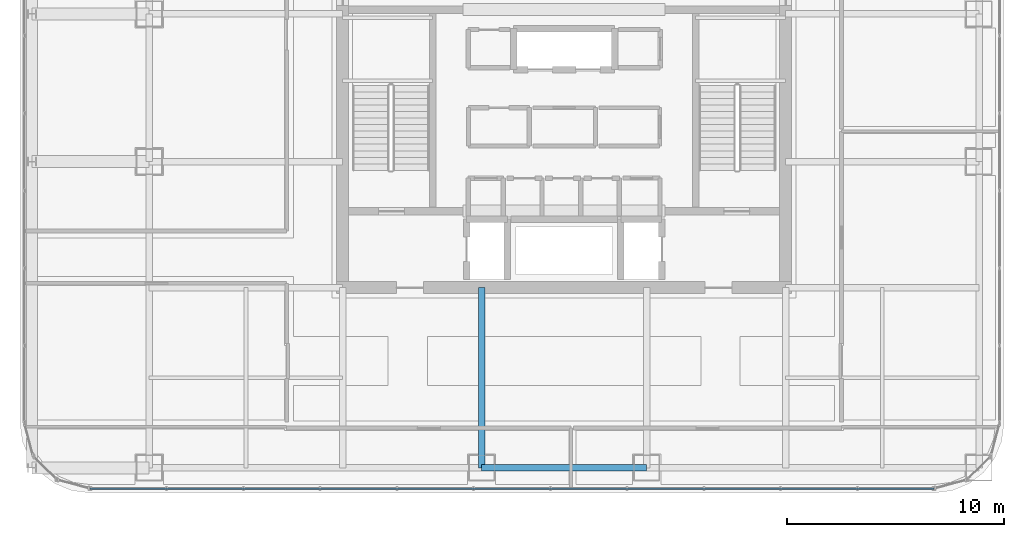
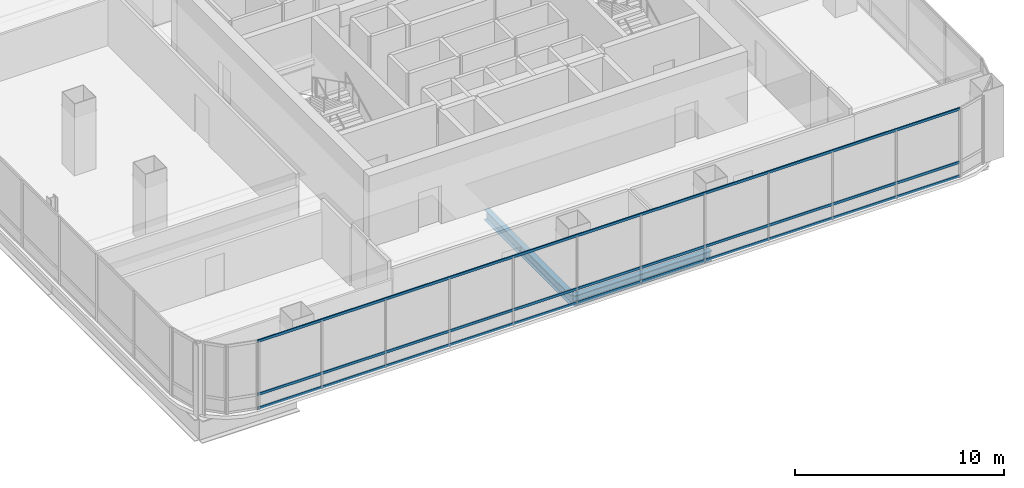
# One storey, part 8 of 41: 3 members, 2 beams, 1 element without a shape of its own.
"""IFC4 building model written with IfcOpenShell, lengths in metres."""

from ifc_helpers import new_model, si_unit, direction, frame, origin, origin_2d, place, context, subcontext, project, spatial, hollow_rectangle, i_section, extrude, material, material_profile, profile_set, type_object, element, aggregate, save


model = new_model("IFC4")

# Units and contexts
model_context = context("Model", 3, precision=1e-05, world=origin(), true_north=direction((0.0, 1.0)))
body_context = subcontext(model_context, "Body", "Model", "MODEL_VIEW")
ifc_project = project(units=[si_unit("LENGTHUNIT", "METRE"), si_unit("AREAUNIT", "SQUARE_METRE"), si_unit("VOLUMEUNIT", "CUBIC_METRE"), si_unit("PLANEANGLEUNIT", "RADIAN"), si_unit("MASSUNIT", "GRAM", prefix="KILO")], contexts=[model_context])

# Site, building, storey
site_placement = place(None, origin())
site = spatial("IfcSite", under=ifc_project, at=site_placement, CompositionType="ELEMENT")
building_placement = place(site_placement, origin())
building = spatial("IfcBuilding", under=site, at=building_placement, Name="Punatoya Terracotta Tower", CompositionType="ELEMENT")
storey_placement = place(building_placement, frame((0.0, 0.0, 288.0)))
storey = spatial("IfcBuildingStorey", under=building, at=storey_placement, Name="L68", CompositionType="ELEMENT", Elevation=288.0)

# Beams
ifc_material_1 = material(Name="Steel S355", Category="steel")
ifc_material_profile_1 = material_profile(ifc_material_1, i_section(OverallWidth=0.300048828125, OverallDepth=0.60009765625, WebThickness=0.015380859375, FlangeThickness=0.030029296875, FilletRadius=0.01806640625, at=origin_2d()))
ifc_profile_set_1 = profile_set([ifc_material_profile_1], Name="Steel S355")
beam_type = type_object("IfcBeamType", Name="BM-PRI-600", PredefinedType="BEAM", material=ifc_profile_set_1)
beam_1_placement = place(storey_placement, frame((-3.800048828125, -17.5, -0.5), z_axis=(1.0, 0.0, 0.0), x_axis=(0.0, 1.0, 0.0)))
element("IfcBeam", 1, at=beam_1_placement, inside=storey, type_object=beam_type, Name="BM-L68-RG-S2", PredefinedType="BEAM", context=body_context, shape_type="SweptSolid", body=[
    extrude(i_section(OverallWidth=0.300048828125, OverallDepth=0.60009765625, WebThickness=0.015380859375, FlangeThickness=0.030029296875, FilletRadius=0.01806640625, at=origin_2d()), origin(), (0.0, 0.0, 1.0), 7.60009765625),
])
beam_2_placement = place(storey_placement, frame((-3.800048828125, -17.5, -0.5), z_axis=(0.0, 1.0, 0.0), x_axis=(-1.0, 0.0, 0.0)))
element("IfcBeam", 2, at=beam_2_placement, inside=storey, type_object=beam_type, Name="BM-L68-PR-S2", PredefinedType="BEAM", context=body_context, shape_type="SweptSolid", body=[
    extrude(i_section(OverallWidth=0.300048828125, OverallDepth=0.60009765625, WebThickness=0.015380859375, FlangeThickness=0.030029296875, FilletRadius=0.01806640625, at=origin_2d()), origin(), (0.0, 0.0, 1.0), 8.300048828125),
])

# Curtain wall, members
ifc_material_2 = material(Name="Aluminium 6063-T6 + Double Low-E Glass", Category="aluminium")
curtain_wall_type = type_object("IfcCurtainWallType", Name="CW-M3", PredefinedType="NOTDEFINED", material=ifc_material_2)
curtain_wall_placement = place(storey_placement, origin())
curtain_wall = element("IfcCurtainWall", 3, at=curtain_wall_placement, inside=storey, type_object=curtain_wall_type, Name="L68 Curtain Wall CW-L68-S01-1", PredefinedType="NOTDEFINED")
ifc_material_3 = material(Name="Aluminium 6063-T6", Category="aluminium")
ifc_material_profile_2 = material_profile(ifc_material_3, hollow_rectangle(XDim=0.068115234375, YDim=0.14990234375, WallThickness=0.00390625, at=origin_2d()))
ifc_profile_set_2 = profile_set([ifc_material_profile_2], Name="Aluminium 6063-T6")
member_type = type_object("IfcMemberType", Name="CW-TRN-TYP", PredefinedType="USERDEFINED", material=ifc_profile_set_2)
member_1_placement = place(storey_placement, frame((-21.8369140625, -18.449951171875, 0.0400390625), z_axis=(1.0, 0.0, 0.0), x_axis=(0.0, 1.0, 0.0)))
member_1 = element("IfcMember", 4, at=member_1_placement, type_object=member_type, Name="CW-L68-S01-1 Transom 1", ObjectType="TRANSOM", PredefinedType="USERDEFINED", context=body_context, shape_type="SweptSolid", body=[
    extrude(hollow_rectangle(XDim=0.068115234375, YDim=0.14990234375, WallThickness=0.00390625, at=origin_2d()), origin(), (0.0, 0.0, 1.0), 38.873779296875),
])
member_2_placement = place(storey_placement, frame((-21.8369140625, -18.449951171875, 0.85009765625), z_axis=(1.0, 0.0, 0.0), x_axis=(0.0, 1.0, 0.0)))
member_2 = element("IfcMember", 5, at=member_2_placement, type_object=member_type, Name="CW-L68-S01-1 Transom 2", ObjectType="TRANSOM", PredefinedType="USERDEFINED", context=body_context, shape_type="SweptSolid", body=[
    extrude(hollow_rectangle(XDim=0.068115234375, YDim=0.14990234375, WallThickness=0.00390625, at=origin_2d()), origin(), (0.0, 0.0, 1.0), 38.873779296875),
])
member_3_placement = place(storey_placement, frame((-21.8369140625, -18.449951171875, 3.9599609375), z_axis=(1.0, 0.0, 0.0), x_axis=(0.0, 1.0, 0.0)))
member_3 = element("IfcMember", 6, at=member_3_placement, type_object=member_type, Name="CW-L68-S01-1 Transom 3", ObjectType="TRANSOM", PredefinedType="USERDEFINED", context=body_context, shape_type="SweptSolid", body=[
    extrude(hollow_rectangle(XDim=0.068115234375, YDim=0.14990234375, WallThickness=0.00390625, at=origin_2d()), origin(), (0.0, 0.0, 1.0), 38.873779296875),
])
aggregate(curtain_wall, [member_1, member_2, member_3])

save(model, "model.ifc")
